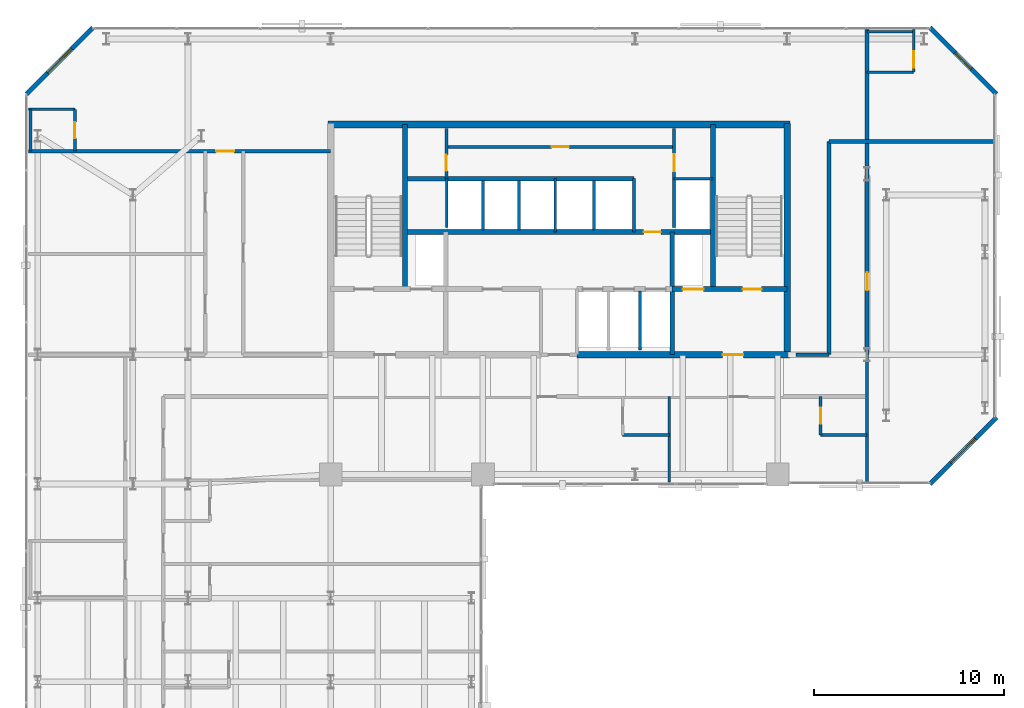
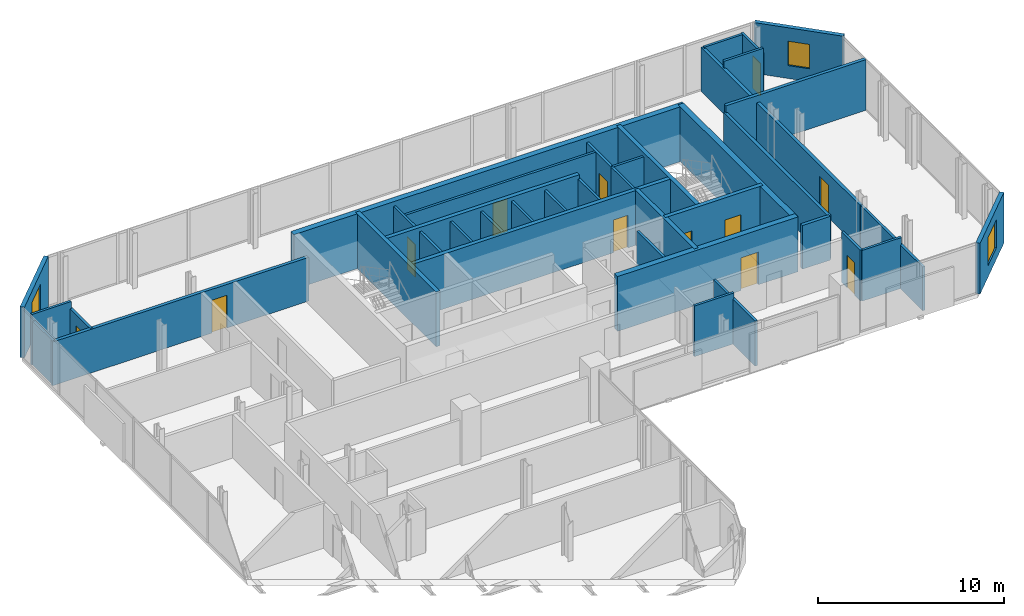
# One storey, part 29 of 32: 40 walls, 12 doors, 3 windows, 15 openings.
"""IFC4 building model written with IfcOpenShell, lengths in metres."""

from ifc_helpers import new_model, si_unit, direction, frame, frame_2d, origin, place, context, subcontext, project, spatial, rectangle, extrude, material, layer, layer_set, type_object, element, fill, save


model = new_model("IFC4")

# Units and contexts
model_context = context("Model", 3, precision=1e-05, world=origin(), true_north=direction((0.0, 1.0)))
body_context = subcontext(model_context, "Body", "Model", "MODEL_VIEW")
ifc_project = project(units=[si_unit("LENGTHUNIT", "METRE"), si_unit("AREAUNIT", "SQUARE_METRE"), si_unit("VOLUMEUNIT", "CUBIC_METRE"), si_unit("PLANEANGLEUNIT", "RADIAN"), si_unit("MASSUNIT", "GRAM", prefix="KILO")], contexts=[model_context])

# Site, building, storey
site_placement = place(None, origin())
site = spatial("IfcSite", under=ifc_project, at=site_placement, CompositionType="ELEMENT")
building_placement = place(site_placement, origin())
building = spatial("IfcBuilding", under=site, at=building_placement, Name="Catumbela Crestline Tower", CompositionType="ELEMENT")
storey_placement = place(building_placement, frame((0.0, 0.0, 126.0)))
storey = spatial("IfcBuildingStorey", under=building, at=storey_placement, Name="L32", CompositionType="ELEMENT", Elevation=126.0)

# Walls
ifc_material_1 = material(Name="Concrete C50/60", Category="concrete")
ifc_layer_1 = layer(ifc_material_1, 0.25, Name="Concrete C50/60")
ifc_layer_set_1 = layer_set([ifc_layer_1], Name="Concrete C50/60")
wall_type_1 = type_object("IfcWallType", Name="CW-250D", PredefinedType="SHEAR", material=ifc_layer_set_1)
for number, where, z_axis, x_axis, name in (
    (1, (19.9, 34.25, 0.0), (0.0, 0.0, 1.0), (0.0, 1.0, 0.0), "L32 Structural Core Shear Wall WWEB"),
    (2, (36.1, 34.25, 0.0), (0.0, 0.0, 1.0), (0.0, 1.0, 0.0), "L32 Structural Core Shear Wall EWEB"),
):
    element("IfcWall", number, at=place(storey_placement, frame(where, z_axis=z_axis, x_axis=x_axis)), inside=storey, type_object=wall_type_1, Name=name, PredefinedType="SHEAR", context=body_context, shape_type="SweptSolid", body=[
        extrude(rectangle(XDim=8.65, YDim=0.25, at=frame_2d((4.325, 0.0))), origin(), (0.0, 0.0, 1.0), 3.6),
    ])
wall_1_placement = place(storey_placement, frame((33.95, 30.8, 0.0), z_axis=(0.0, 0.0, 1.0), x_axis=(0.0, 1.0, 0.0)))
element("IfcWall", 3, at=wall_1_placement, inside=storey, type_object=wall_type_1, Name="L32 Structural Core Shear Wall FFE", PredefinedType="SHEAR", context=body_context, shape_type="SweptSolid", body=[
    extrude(rectangle(XDim=6.45, YDim=0.25, at=frame_2d((3.225, 0.0))), origin(), (0.0, 0.0, 1.0), 3.6),
])

# Wall, openings, doors
wall_2_placement = place(storey_placement, frame((33.95, 34.25, 0.0), z_axis=(0.0, 0.0, 1.0), x_axis=(1.0, 0.0, 0.0)))
wall_2 = element("IfcWall", 4, at=wall_2_placement, inside=storey, type_object=wall_type_1, Name="L32 Structural Core Shear Wall ST2S", PredefinedType="SHEAR", context=body_context, shape_type="SweptSolid", body=[
    extrude(rectangle(XDim=6.05, YDim=0.25, at=frame_2d((3.025, 0.0))), origin(), (0.0, 0.0, 1.0), 3.6),
])
opening_1_placement = place(wall_2_placement, frame((3.7, 0.0, 0.0)))
opening_1 = element("IfcOpeningElement", 5, at=opening_1_placement, cuts=wall_2, Name="Opening DF9-100", PredefinedType="OPENING", context=body_context, shape_type="SweptSolid", body=[
    extrude(rectangle(XDim=1.0, YDim=2.15, at=frame_2d((0.5, 1.075))), frame((0.0, 0.135, 0.0), z_axis=(0.0, -1.0, 0.0), x_axis=(1.0, 0.0, 0.0)), (0.0, 0.0, 1.0), 0.27),
])
opening_2_placement = place(wall_2_placement, frame((0.55, 0.0, 0.0)))
opening_2 = element("IfcOpeningElement", 6, at=opening_2_placement, cuts=wall_2, Name="Opening LD-110", PredefinedType="OPENING", context=body_context, shape_type="SweptSolid", body=[
    extrude(rectangle(XDim=1.1, YDim=2.15, at=frame_2d((0.55, 1.075))), frame((0.0, 0.135, 0.0), z_axis=(0.0, -1.0, 0.0), x_axis=(1.0, 0.0, 0.0)), (0.0, 0.0, 1.0), 0.27),
])
ifc_material_2 = material(Name="Stainless steel EN 1.4401", Category="steel")
door_type_1 = type_object("IfcDoorType", Name="DF9-100", OperationType="NOTDEFINED", PredefinedType="DOOR", material=ifc_material_2)
door_1_placement = place(opening_1_placement, origin())
door_1 = element("IfcDoor", 7, at=door_1_placement, inside=storey, type_object=door_type_1, Name="L32 Interior Door DR-L32-ST02", OperationType="SINGLE_SWING_RIGHT", OverallHeight=2.15, OverallWidth=1.0, PredefinedType="DOOR", context=body_context, shape_type="SweptSolid", body=[
    extrude(rectangle(XDim=1.0, YDim=2.15, at=frame_2d((0.5, 1.075))), frame((0.0, 0.025, 0.0), z_axis=(0.0, -1.0, 0.0), x_axis=(1.0, 0.0, 0.0)), (0.0, 0.0, 1.0), 0.05),
])
fill(opening_1, door_1)
door_type_2 = type_object("IfcDoorType", Name="LD-110", OperationType="NOTDEFINED", PredefinedType="DOOR", material=ifc_material_2)
door_2_placement = place(opening_2_placement, origin())
door_2 = element("IfcDoor", 8, at=door_2_placement, inside=storey, type_object=door_type_2, Name="L32 Lift Landing Sliding Door FL-02", OperationType="DOUBLE_DOOR_SLIDING", OverallHeight=2.15, OverallWidth=1.1, PredefinedType="DOOR", context=body_context, shape_type="SweptSolid", body=[
    extrude(rectangle(XDim=1.1, YDim=2.15, at=frame_2d((0.55, 1.075))), frame((0.0, 0.025, 0.0), z_axis=(0.0, -1.0, 0.0), x_axis=(1.0, 0.0, 0.0)), (0.0, 0.0, 1.0), 0.05),
])
fill(opening_2, door_2)

# Wall, opening, door
wall_3_placement = place(storey_placement, frame((19.9, 37.25, 0.0), z_axis=(0.0, 0.0, 1.0), x_axis=(1.0, 0.0, 0.0)))
wall_3 = element("IfcWall", 9, at=wall_3_placement, inside=storey, type_object=wall_type_1, Name="L32 Structural Core Shear Wall LIFTN", PredefinedType="SHEAR", context=body_context, shape_type="SweptSolid", body=[
    extrude(rectangle(XDim=16.2, YDim=0.25, at=frame_2d((8.1, 0.0))), origin(), (0.0, 0.0, 1.0), 3.6),
])
opening_3_placement = place(wall_3_placement, frame((12.55, 0.0, 0.0)))
opening_3 = element("IfcOpeningElement", 10, at=opening_3_placement, cuts=wall_3, Name="Opening DF9-090", PredefinedType="OPENING", context=body_context, shape_type="SweptSolid", body=[
    extrude(rectangle(XDim=0.9, YDim=2.15, at=frame_2d((0.45, 1.075))), frame((0.0, 0.135, 0.0), z_axis=(0.0, -1.0, 0.0), x_axis=(1.0, 0.0, 0.0)), (0.0, 0.0, 1.0), 0.27),
])
door_type_3 = type_object("IfcDoorType", Name="DF9-090", OperationType="NOTDEFINED", PredefinedType="DOOR", material=ifc_material_2)
door_3_placement = place(opening_3_placement, origin())
door_3 = element("IfcDoor", 11, at=door_3_placement, inside=storey, type_object=door_type_3, Name="L32 Interior Door DR-L32-CPAS1", OperationType="SINGLE_SWING_LEFT", OverallHeight=2.15, OverallWidth=0.9, PredefinedType="DOOR", context=body_context, shape_type="SweptSolid", body=[
    extrude(rectangle(XDim=0.9, YDim=2.15, at=frame_2d((0.45, 1.075))), frame((0.0, 0.025, 0.0), z_axis=(0.0, -1.0, 0.0), x_axis=(1.0, 0.0, 0.0)), (0.0, 0.0, 1.0), 0.05),
])
fill(opening_3, door_3)

# Walls
wall_4_placement = place(storey_placement, frame((19.9, 40.05, 0.0), z_axis=(0.0, 0.0, 1.0), x_axis=(1.0, 0.0, 0.0)))
element("IfcWall", 12, at=wall_4_placement, inside=storey, type_object=wall_type_1, Name="L32 Structural Core Shear Wall COREN", PredefinedType="SHEAR", context=body_context, shape_type="SweptSolid", body=[
    extrude(rectangle(XDim=12.05, YDim=0.25, at=frame_2d((6.025, 0.0))), origin(), (0.0, 0.0, 1.0), 3.6),
])
ifc_layer_2 = layer(ifc_material_1, 0.35, Name="Concrete C50/60")
ifc_layer_set_2 = layer_set([ifc_layer_2], Name="Concrete C50/60")
wall_type_2 = type_object("IfcWallType", Name="CW-350B", PredefinedType="SHEAR", material=ifc_layer_set_2)
wall_5_placement = place(storey_placement, frame((40.0, 30.65, 0.0), z_axis=(0.0, 0.0, 1.0), x_axis=(0.0, 1.0, 0.0)))
element("IfcWall", 13, at=wall_5_placement, inside=storey, type_object=wall_type_2, Name="L32 Structural Core Shear Wall E", PredefinedType="SHEAR", context=body_context, shape_type="SweptSolid", body=[
    extrude(rectangle(XDim=12.3, YDim=0.35, at=frame_2d((6.15, 0.0))), origin(), (0.0, 0.0, 1.0), 3.6),
])
wall_6_placement = place(storey_placement, frame((15.85, 42.9, 0.0), z_axis=(0.0, 0.0, 1.0), x_axis=(1.0, 0.0, 0.0)))
element("IfcWall", 14, at=wall_6_placement, inside=storey, type_object=wall_type_2, Name="L32 Structural Core Shear Wall N", PredefinedType="SHEAR", context=body_context, shape_type="SweptSolid", body=[
    extrude(rectangle(XDim=24.3, YDim=0.35, at=frame_2d((12.15, 0.0))), origin(), (0.0, 0.0, 1.0), 3.6),
])

# Wall, opening, door
wall_7_placement = place(storey_placement, frame((28.95, 30.8, 0.0), z_axis=(0.0, 0.0, 1.0), x_axis=(1.0, 0.0, 0.0)))
wall_7 = element("IfcWall", 15, at=wall_7_placement, inside=storey, type_object=wall_type_2, Name="L32 Structural Core Shear Wall SE", PredefinedType="SHEAR", context=body_context, shape_type="SweptSolid", body=[
    extrude(rectangle(XDim=11.2, YDim=0.35, at=frame_2d((5.6, 0.0))), origin(), (0.0, 0.0, 1.0), 3.6),
])
opening_4_placement = place(wall_7_placement, frame((7.65, 0.0, 0.0)))
opening_4 = element("IfcOpeningElement", 16, at=opening_4_placement, cuts=wall_7, Name="Opening DF9-110", PredefinedType="OPENING", context=body_context, shape_type="SweptSolid", body=[
    extrude(rectangle(XDim=1.1, YDim=2.15, at=frame_2d((0.55, 1.075))), frame((0.0, 0.185, 0.0), z_axis=(0.0, -1.0, 0.0), x_axis=(1.0, 0.0, 0.0)), (0.0, 0.0, 1.0), 0.37),
])
door_type_4 = type_object("IfcDoorType", Name="DF9-110", OperationType="NOTDEFINED", PredefinedType="DOOR", material=ifc_material_2)
door_4_placement = place(opening_4_placement, origin())
door_4 = element("IfcDoor", 17, at=door_4_placement, inside=storey, type_object=door_type_4, Name="L32 Interior Door DR-L32-FFE-S", OperationType="SINGLE_SWING_RIGHT", OverallHeight=2.15, OverallWidth=1.1, PredefinedType="DOOR", context=body_context, shape_type="SweptSolid", body=[
    extrude(rectangle(XDim=1.1, YDim=2.15, at=frame_2d((0.55, 1.075))), frame((0.0, 0.025, 0.0), z_axis=(0.0, -1.0, 0.0), x_axis=(1.0, 0.0, 0.0)), (0.0, 0.0, 1.0), 0.05),
])
fill(opening_4, door_4)

# Walls
ifc_material_3 = material(Name="Acoustic gypsum and mineral-wool partition")
ifc_layer_3 = layer(ifc_material_3, 0.2, Name="Acoustic gypsum and mineral-wool partition")
ifc_layer_set_3 = layer_set([ifc_layer_3], Name="Acoustic gypsum and mineral-wool partition")
wall_type_3 = type_object("IfcWallType", Name="WC-200", PredefinedType="PARTITIONING", material=ifc_layer_set_3)
wall_8_placement = place(storey_placement, frame((40.47, 30.8, 0.0), z_axis=(0.0, 0.0, 1.0), x_axis=(1.0, 0.0, 0.0)))
element("IfcWall", 18, at=wall_8_placement, inside=storey, type_object=wall_type_3, Name="L32 Interior Partition PW-L32-Z2CW-E1", PredefinedType="PARTITIONING", context=body_context, shape_type="SweptSolid", body=[
    extrude(rectangle(XDim=1.73, YDim=0.2, at=frame_2d((0.865, 0.0))), origin(), (0.0, 0.0, 1.0), 2.87),
])
wall_9_placement = place(storey_placement, frame((42.2, 30.8, 0.0), z_axis=(0.0, 0.0, 1.0), x_axis=(0.0, 1.0, 0.0)))
element("IfcWall", 19, at=wall_9_placement, inside=storey, type_object=wall_type_3, Name="L32 Interior Partition PW-L32-Z2CW-E2", PredefinedType="PARTITIONING", context=body_context, shape_type="SweptSolid", body=[
    extrude(rectangle(XDim=11.2, YDim=0.2, at=frame_2d((5.6, 0.0))), origin(), (0.0, 0.0, 1.0), 2.87),
])
wall_10_placement = place(storey_placement, frame((42.2, 42.0, 0.0), z_axis=(0.0, 0.0, 1.0), x_axis=(1.0, 0.0, 0.0)))
element("IfcWall", 20, at=wall_10_placement, inside=storey, type_object=wall_type_3, Name="L32 Interior Partition PW-L32-Z2CW-E3", PredefinedType="PARTITIONING", context=body_context, shape_type="SweptSolid", body=[
    extrude(rectangle(XDim=8.7, YDim=0.2, at=frame_2d((4.35, 0.0))), origin(), (0.0, 0.0, 1.0), 3.33),
])

# Wall, opening, door
wall_11_placement = place(storey_placement, frame((0.1, 41.5, 0.0), z_axis=(0.0, 0.0, 1.0), x_axis=(1.0, 0.0, 0.0)))
wall_11 = element("IfcWall", 21, at=wall_11_placement, inside=storey, type_object=wall_type_3, Name="L32 Interior Partition PW-L32-Z2NWT-ENT", PredefinedType="PARTITIONING", context=body_context, shape_type="SweptSolid", body=[
    extrude(rectangle(XDim=15.9, YDim=0.2, at=frame_2d((7.95, 0.0))), origin(), (0.0, 0.0, 1.0), 2.87),
])
opening_5_placement = place(wall_11_placement, frame((9.8771, 0.0, 0.0)))
opening_5 = element("IfcOpeningElement", 22, at=opening_5_placement, cuts=wall_11, Name="Opening DF6-095", PredefinedType="OPENING", context=body_context, shape_type="SweptSolid", body=[
    extrude(rectangle(XDim=0.95, YDim=2.15, at=frame_2d((0.475, 1.075))), frame((0.0, 0.11, 0.0), z_axis=(0.0, -1.0, 0.0), x_axis=(1.0, 0.0, 0.0)), (0.0, 0.0, 1.0), 0.22),
])
ifc_material_4 = material(Name="Aluminium alloy AW-6060-T66", Category="aluminium")
door_type_5 = type_object("IfcDoorType", Name="DF6-095", OperationType="NOTDEFINED", PredefinedType="DOOR", material=ifc_material_4)
door_5_placement = place(opening_5_placement, origin())
door_5 = element("IfcDoor", 23, at=door_5_placement, inside=storey, type_object=door_type_5, Name="L32 Interior Door DR-L32-Z2NWT-ENT", OperationType="SINGLE_SWING_RIGHT", OverallHeight=2.15, OverallWidth=0.95, PredefinedType="DOOR", context=body_context, shape_type="SweptSolid", body=[
    extrude(rectangle(XDim=0.95, YDim=2.15, at=frame_2d((0.475, 1.075))), frame((0.0, 0.025, 0.0), z_axis=(0.0, -1.0, 0.0), x_axis=(1.0, 0.0, 0.0)), (0.0, 0.0, 1.0), 0.05),
])
fill(opening_5, door_5)

wall_12_placement = place(storey_placement, frame((44.2, 30.8, 0.0), z_axis=(0.0, 0.0, 1.0), x_axis=(0.0, 1.0, 0.0)))
wall_12 = element("IfcWall", 24, at=wall_12_placement, inside=storey, type_object=wall_type_3, Name="L32 Interior Partition PW-L32-SE1-ENT", PredefinedType="PARTITIONING", context=body_context, shape_type="SweptSolid", body=[
    extrude(rectangle(XDim=17.1, YDim=0.2, at=frame_2d((8.55, 0.0))), origin(), (0.0, 0.0, 1.0), 2.87),
])
opening_6_placement = place(wall_12_placement, frame((3.3825, 0.0, 0.0)))
opening_6 = element("IfcOpeningElement", 25, at=opening_6_placement, cuts=wall_12, Name="Opening DF6-095", PredefinedType="OPENING", context=body_context, shape_type="SweptSolid", body=[
    extrude(rectangle(XDim=0.95, YDim=2.15, at=frame_2d((0.475, 1.075))), frame((0.0, 0.11, 0.0), z_axis=(0.0, -1.0, 0.0), x_axis=(1.0, 0.0, 0.0)), (0.0, 0.0, 1.0), 0.22),
])
door_6_placement = place(opening_6_placement, origin())
door_6 = element("IfcDoor", 26, at=door_6_placement, inside=storey, type_object=door_type_5, Name="L32 Interior Door DR-L32-SE1-ENT", OperationType="SINGLE_SWING_RIGHT", OverallHeight=2.15, OverallWidth=0.95, PredefinedType="DOOR", context=body_context, shape_type="SweptSolid", body=[
    extrude(rectangle(XDim=0.95, YDim=2.15, at=frame_2d((0.475, 1.075))), frame((0.0, 0.025, 0.0), z_axis=(0.0, -1.0, 0.0), x_axis=(1.0, 0.0, 0.0)), (0.0, 0.0, 1.0), 0.05),
])
fill(opening_6, door_6)

# Wall, opening, window
ifc_material_5 = material(Name="Angolan grey-ochre granite", Category="masonry")
ifc_layer_4 = layer(ifc_material_5, 0.25, Name="Angolan grey-ochre granite")
ifc_layer_set_4 = layer_set([ifc_layer_4], Name="Angolan grey-ochre granite")
wall_type_4 = type_object("IfcWallType", Name="WE-250", PredefinedType="STANDARD", material=ifc_layer_set_4)
wall_13_placement = place(storey_placement, frame((47.5, 24.0, 0.0), z_axis=(0.0, 0.0, 1.0), x_axis=(0.707106781187, 0.707106781187, 0.0)))
wall_13 = element("IfcWall", 27, at=wall_13_placement, inside=storey, type_object=wall_type_4, Name="L32 Granite Punched Window Wall 4-1", PredefinedType="STANDARD", context=body_context, shape_type="SweptSolid", body=[
    extrude(rectangle(XDim=4.9497, YDim=0.25, at=frame_2d((2.4748, 0.0))), origin(), (0.0, 0.0, 1.0), 3.33),
])
opening_7_placement = place(wall_13_placement, frame((1.5749, 0.0, 0.75)))
opening_7 = element("IfcOpeningElement", 28, at=opening_7_placement, cuts=wall_13, Name="Opening WN-01", PredefinedType="OPENING", context=body_context, shape_type="SweptSolid", body=[
    extrude(rectangle(XDim=1.8, YDim=1.85, at=frame_2d((0.9, 0.925))), frame((0.0, 0.135, 0.0), z_axis=(0.0, -1.0, 0.0), x_axis=(1.0, 0.0, 0.0)), (0.0, 0.0, 1.0), 0.27),
])
ifc_material_6 = material(Name="Low-E laminated solar-control double glazing", Category="glass")
window_type_1 = type_object("IfcWindowType", Name="WF-1800", PartitioningType="SINGLE_PANEL", PredefinedType="WINDOW", material=ifc_material_6)
window_1_placement = place(opening_7_placement, origin())
window_1 = element("IfcWindow", 29, at=window_1_placement, inside=storey, type_object=window_type_1, Name="L32 Facade Vision Window 181", OverallHeight=1.85, OverallWidth=1.8, PartitioningType="SINGLE_PANEL", PredefinedType="WINDOW", context=body_context, shape_type="SweptSolid", body=[
    extrude(rectangle(XDim=1.8, YDim=1.85, at=frame_2d((0.9, 0.925))), frame((0.0, 0.03, 0.0), z_axis=(0.0, -1.0, 0.0), x_axis=(1.0, 0.0, 0.0)), (0.0, 0.0, 1.0), 0.06),
])
fill(opening_7, window_1)

wall_14_placement = place(storey_placement, frame((51.0, 44.5, 0.0), z_axis=(0.0, 0.0, 1.0), x_axis=(-0.707106781187, 0.707106781187, 0.0)))
wall_14 = element("IfcWall", 30, at=wall_14_placement, inside=storey, type_object=wall_type_4, Name="L32 Granite Punched Window Wall 6-1", PredefinedType="STANDARD", context=body_context, shape_type="SweptSolid", body=[
    extrude(rectangle(XDim=4.9497, YDim=0.25, at=frame_2d((2.4748, 0.0))), origin(), (0.0, 0.0, 1.0), 3.33),
])
opening_8_placement = place(wall_14_placement, frame((1.8748, 0.0, 0.85)))
opening_8 = element("IfcOpeningElement", 31, at=opening_8_placement, cuts=wall_14, Name="Opening WN-02", PredefinedType="OPENING", context=body_context, shape_type="SweptSolid", body=[
    extrude(rectangle(XDim=1.2, YDim=1.6, at=frame_2d((0.6, 0.8))), frame((0.0, 0.135, 0.0), z_axis=(0.0, -1.0, 0.0), x_axis=(1.0, 0.0, 0.0)), (0.0, 0.0, 1.0), 0.27),
])
window_type_2 = type_object("IfcWindowType", Name="WO-1200", PartitioningType="SINGLE_PANEL", PredefinedType="WINDOW", material=ifc_material_6)
window_2_placement = place(opening_8_placement, origin())
window_2 = element("IfcWindow", 32, at=window_2_placement, inside=storey, type_object=window_type_2, Name="L32 Facade Vision Window 182", OverallHeight=1.6, OverallWidth=1.2, PartitioningType="SINGLE_PANEL", PredefinedType="WINDOW", context=body_context, shape_type="SweptSolid", body=[
    extrude(rectangle(XDim=1.2, YDim=1.6, at=frame_2d((0.6, 0.8))), frame((0.0, 0.03, 0.0), z_axis=(0.0, -1.0, 0.0), x_axis=(1.0, 0.0, 0.0)), (0.0, 0.0, 1.0), 0.06),
])
fill(opening_8, window_2)

wall_15_placement = place(storey_placement, frame((3.5, 48.0, 0.0), z_axis=(0.0, 0.0, 1.0), x_axis=(-0.707106781187, -0.707106781187, 0.0)))
wall_15 = element("IfcWall", 33, at=wall_15_placement, inside=storey, type_object=wall_type_4, Name="L32 Granite Punched Window Wall 8-1", PredefinedType="STANDARD", context=body_context, shape_type="SweptSolid", body=[
    extrude(rectangle(XDim=4.9497, YDim=0.25, at=frame_2d((2.4748, 0.0))), origin(), (0.0, 0.0, 1.0), 3.33),
])
opening_9_placement = place(wall_15_placement, frame((1.5749, 0.0, 0.75)))
opening_9 = element("IfcOpeningElement", 34, at=opening_9_placement, cuts=wall_15, Name="Opening WN-01", PredefinedType="OPENING", context=body_context, shape_type="SweptSolid", body=[
    extrude(rectangle(XDim=1.8, YDim=1.85, at=frame_2d((0.9, 0.925))), frame((0.0, 0.135, 0.0), z_axis=(0.0, -1.0, 0.0), x_axis=(1.0, 0.0, 0.0)), (0.0, 0.0, 1.0), 0.27),
])
window_3_placement = place(opening_9_placement, origin())
window_3 = element("IfcWindow", 35, at=window_3_placement, inside=storey, type_object=window_type_1, Name="L32 Facade Vision Window 183", OverallHeight=1.85, OverallWidth=1.8, PartitioningType="SINGLE_PANEL", PredefinedType="WINDOW", context=body_context, shape_type="SweptSolid", body=[
    extrude(rectangle(XDim=1.8, YDim=1.85, at=frame_2d((0.9, 0.925))), frame((0.0, 0.03, 0.0), z_axis=(0.0, -1.0, 0.0), x_axis=(1.0, 0.0, 0.0)), (0.0, 0.0, 1.0), 0.06),
])
fill(opening_9, window_3)

# Wall
ifc_layer_5 = layer(ifc_material_3, 0.15, Name="Acoustic gypsum and mineral-wool partition")
ifc_layer_set_5 = layer_set([ifc_layer_5], Name="Acoustic gypsum and mineral-wool partition")
wall_type_5 = type_object("IfcWallType", Name="WP-150", PredefinedType="PARTITIONING", material=ifc_layer_set_5)
wall_16_placement = place(storey_placement, frame((34.05, 40.05, 0.0), z_axis=(0.0, 0.0, 1.0), x_axis=(1.0, 0.0, 0.0)))
element("IfcWall", 36, at=wall_16_placement, inside=storey, type_object=wall_type_5, Name="L32 Interior Partition PW-L32-CR-ES", PredefinedType="PARTITIONING", context=body_context, shape_type="SweptSolid", body=[
    extrude(rectangle(XDim=2.05, YDim=0.15, at=frame_2d((1.025, 0.0))), origin(), (0.0, 0.0, 1.0), 3.33),
])

# Wall, opening, door
wall_17_placement = place(storey_placement, frame((34.05, 40.05, 0.0), z_axis=(0.0, 0.0, 1.0), x_axis=(0.0, 1.0, 0.0)))
wall_17 = element("IfcWall", 37, at=wall_17_placement, inside=storey, type_object=wall_type_5, Name="L32 Interior Partition PW-L32-CR-EW", PredefinedType="PARTITIONING", context=body_context, shape_type="SweptSolid", body=[
    extrude(rectangle(XDim=2.63, YDim=0.15, at=frame_2d((1.315, 0.0))), origin(), (0.0, 0.0, 1.0), 3.33),
])
opening_10_placement = place(wall_17_placement, frame((0.385, 0.0, 0.0)))
opening_10 = element("IfcOpeningElement", 38, at=opening_10_placement, cuts=wall_17, Name="Opening DF9-090", PredefinedType="OPENING", context=body_context, shape_type="SweptSolid", body=[
    extrude(rectangle(XDim=0.9, YDim=2.15, at=frame_2d((0.45, 1.075))), frame((0.0, 0.085, 0.0), z_axis=(0.0, -1.0, 0.0), x_axis=(1.0, 0.0, 0.0)), (0.0, 0.0, 1.0), 0.17),
])
door_7_placement = place(opening_10_placement, origin())
door_7 = element("IfcDoor", 39, at=door_7_placement, inside=storey, type_object=door_type_3, Name="L32 Interior Door DR-L32-CREAST", OperationType="SINGLE_SWING_RIGHT", OverallHeight=2.15, OverallWidth=0.9, PredefinedType="DOOR", context=body_context, shape_type="SweptSolid", body=[
    extrude(rectangle(XDim=0.9, YDim=2.15, at=frame_2d((0.45, 1.075))), frame((0.0, 0.025, 0.0), z_axis=(0.0, -1.0, 0.0), x_axis=(1.0, 0.0, 0.0)), (0.0, 0.0, 1.0), 0.05),
])
fill(opening_10, door_7)

wall_18_placement = place(storey_placement, frame((22.08, 40.05, 0.0), z_axis=(0.0, 0.0, 1.0), x_axis=(0.0, 1.0, 0.0)))
wall_18 = element("IfcWall", 40, at=wall_18_placement, inside=storey, type_object=wall_type_5, Name="L32 Interior Partition PW-L32-CR-WCW", PredefinedType="PARTITIONING", context=body_context, shape_type="SweptSolid", body=[
    extrude(rectangle(XDim=2.63, YDim=0.15, at=frame_2d((1.315, 0.0))), origin(), (0.0, 0.0, 1.0), 3.33),
])
opening_11_placement = place(wall_18_placement, frame((0.41, 0.0, 0.0)))
opening_11 = element("IfcOpeningElement", 41, at=opening_11_placement, cuts=wall_18, Name="Opening DI-085", PredefinedType="OPENING", context=body_context, shape_type="SweptSolid", body=[
    extrude(rectangle(XDim=0.85, YDim=2.15, at=frame_2d((0.425, 1.075))), frame((0.0, 0.085, 0.0), z_axis=(0.0, -1.0, 0.0), x_axis=(1.0, 0.0, 0.0)), (0.0, 0.0, 1.0), 0.17),
])
door_type_6 = type_object("IfcDoorType", Name="DI-085", OperationType="NOTDEFINED", PredefinedType="DOOR", material=ifc_material_4)
door_8_placement = place(opening_11_placement, origin())
door_8 = element("IfcDoor", 42, at=door_8_placement, inside=storey, type_object=door_type_6, Name="L32 Interior Door DR-L32-CRWC", OperationType="SINGLE_SWING_LEFT", OverallHeight=2.15, OverallWidth=0.85, PredefinedType="DOOR", context=body_context, shape_type="SweptSolid", body=[
    extrude(rectangle(XDim=0.85, YDim=2.15, at=frame_2d((0.425, 1.075))), frame((0.0, 0.025, 0.0), z_axis=(0.0, -1.0, 0.0), x_axis=(1.0, 0.0, 0.0)), (0.0, 0.0, 1.0), 0.05),
])
fill(opening_11, door_8)

wall_19_placement = place(storey_placement, frame((22.08, 41.72, 0.0), z_axis=(0.0, 0.0, 1.0), x_axis=(1.0, 0.0, 0.0)))
wall_19 = element("IfcWall", 43, at=wall_19_placement, inside=storey, type_object=wall_type_5, Name="L32 Interior Partition PW-L32-CR-MID", PredefinedType="PARTITIONING", context=body_context, shape_type="SweptSolid", body=[
    extrude(rectangle(XDim=11.97, YDim=0.15, at=frame_2d((5.985, 0.0))), origin(), (0.0, 0.0, 1.0), 3.33),
])
opening_12_placement = place(wall_19_placement, frame((5.535, 0.0, 0.0)))
opening_12 = element("IfcOpeningElement", 44, at=opening_12_placement, cuts=wall_19, Name="Opening DF9-090", PredefinedType="OPENING", context=body_context, shape_type="SweptSolid", body=[
    extrude(rectangle(XDim=0.9, YDim=2.15, at=frame_2d((0.45, 1.075))), frame((0.0, 0.085, 0.0), z_axis=(0.0, -1.0, 0.0), x_axis=(1.0, 0.0, 0.0)), (0.0, 0.0, 1.0), 0.17),
])
door_9_placement = place(opening_12_placement, origin())
door_9 = element("IfcDoor", 45, at=door_9_placement, inside=storey, type_object=door_type_3, Name="L32 Interior Door DR-L32-CRMID", OperationType="SINGLE_SWING_LEFT", OverallHeight=2.15, OverallWidth=0.9, PredefinedType="DOOR", context=body_context, shape_type="SweptSolid", body=[
    extrude(rectangle(XDim=0.9, YDim=2.15, at=frame_2d((0.45, 1.075))), frame((0.0, 0.025, 0.0), z_axis=(0.0, -1.0, 0.0), x_axis=(1.0, 0.0, 0.0)), (0.0, 0.0, 1.0), 0.05),
])
fill(opening_12, door_9)

# Wall
wall_20_placement = place(storey_placement, frame((0.1, 43.7, 0.0), z_axis=(0.0, 0.0, 1.0), x_axis=(1.0, 0.0, 0.0)))
element("IfcWall", 46, at=wall_20_placement, inside=storey, type_object=wall_type_5, Name="L32 Interior Partition PW-L32-Z2NWT-BHW", PredefinedType="PARTITIONING", context=body_context, shape_type="SweptSolid", body=[
    extrude(rectangle(XDim=2.45, YDim=0.15, at=frame_2d((1.225, 0.0))), origin(), (0.0, 0.0, 1.0), 3.33),
])

# Wall, opening, door
wall_21_placement = place(storey_placement, frame((2.55, 41.5, 0.0), z_axis=(0.0, 0.0, 1.0), x_axis=(0.0, 1.0, 0.0)))
wall_21 = element("IfcWall", 47, at=wall_21_placement, inside=storey, type_object=wall_type_5, Name="L32 Interior Partition PW-L32-Z2NWT-BEW", PredefinedType="PARTITIONING", context=body_context, shape_type="SweptSolid", body=[
    extrude(rectangle(XDim=2.2, YDim=0.15, at=frame_2d((1.1, 0.0))), origin(), (0.0, 0.0, 1.0), 2.87),
])
opening_13_placement = place(wall_21_placement, frame((0.675, 0.0, 0.0)))
opening_13 = element("IfcOpeningElement", 48, at=opening_13_placement, cuts=wall_21, Name="Opening DI-085", PredefinedType="OPENING", context=body_context, shape_type="SweptSolid", body=[
    extrude(rectangle(XDim=0.85, YDim=2.15, at=frame_2d((0.425, 1.075))), frame((0.0, 0.085, 0.0), z_axis=(0.0, -1.0, 0.0), x_axis=(1.0, 0.0, 0.0)), (0.0, 0.0, 1.0), 0.17),
])
door_10_placement = place(opening_13_placement, origin())
door_10 = element("IfcDoor", 49, at=door_10_placement, inside=storey, type_object=door_type_6, Name="L32 Interior Door DR-L32-Z2NWT-BTH", OperationType="SINGLE_SWING_LEFT", OverallHeight=2.15, OverallWidth=0.85, PredefinedType="DOOR", context=body_context, shape_type="SweptSolid", body=[
    extrude(rectangle(XDim=0.85, YDim=2.15, at=frame_2d((0.425, 1.075))), frame((0.0, 0.025, 0.0), z_axis=(0.0, -1.0, 0.0), x_axis=(1.0, 0.0, 0.0)), (0.0, 0.0, 1.0), 0.05),
])
fill(opening_13, door_10)

# Walls
wall_22_placement = place(storey_placement, frame((0.22, 41.5, 0.0), z_axis=(0.0, 0.0, 1.0), x_axis=(0.0, 1.0, 0.0)))
element("IfcWall", 50, at=wall_22_placement, inside=storey, type_object=wall_type_5, Name="L32 Interior Partition PW-L32-Z2NWT-BCL-2", PredefinedType="PARTITIONING", context=body_context, shape_type="SweptSolid", body=[
    extrude(rectangle(XDim=2.2, YDim=0.15, at=frame_2d((1.1, 0.0))), origin(), (0.0, 0.0, 1.0), 2.87),
])
wall_23_placement = place(storey_placement, frame((31.35, 26.576, 0.0), z_axis=(0.0, 0.0, 1.0), x_axis=(1.0, 0.0, 0.0)))
element("IfcWall", 51, at=wall_23_placement, inside=storey, type_object=wall_type_5, Name="L32 Interior Partition PW-L32-SS1-BHW", PredefinedType="PARTITIONING", context=body_context, shape_type="SweptSolid", body=[
    extrude(rectangle(XDim=2.45, YDim=0.15, at=frame_2d((1.225, 0.0))), origin(), (0.0, 0.0, 1.0), 3.33),
])
wall_24_placement = place(storey_placement, frame((33.8, 28.6, 0.0), z_axis=(0.0, 0.0, 1.0), x_axis=(0.0, -1.0, 0.0)))
element("IfcWall", 52, at=wall_24_placement, inside=storey, type_object=wall_type_5, Name="L32 Interior Partition PW-L32-SS1-BCL-2", PredefinedType="PARTITIONING", context=body_context, shape_type="SweptSolid", body=[
    extrude(rectangle(XDim=4.5, YDim=0.15, at=frame_2d((2.25, 0.0))), origin(), (0.0, 0.0, 1.0), 2.96),
])
wall_25_placement = place(storey_placement, frame((41.75, 26.576, 0.0), z_axis=(0.0, 0.0, 1.0), x_axis=(1.0, 0.0, 0.0)))
element("IfcWall", 53, at=wall_25_placement, inside=storey, type_object=wall_type_5, Name="L32 Interior Partition PW-L32-SS2-BHW", PredefinedType="PARTITIONING", context=body_context, shape_type="SweptSolid", body=[
    extrude(rectangle(XDim=2.45, YDim=0.15, at=frame_2d((1.225, 0.0))), origin(), (0.0, 0.0, 1.0), 3.33),
])

# Wall, opening, door
wall_26_placement = place(storey_placement, frame((41.75, 26.576, 0.0), z_axis=(0.0, 0.0, 1.0), x_axis=(0.0, 1.0, 0.0)))
wall_26 = element("IfcWall", 54, at=wall_26_placement, inside=storey, type_object=wall_type_5, Name="L32 Interior Partition PW-L32-SS2-BWW", PredefinedType="PARTITIONING", context=body_context, shape_type="SweptSolid", body=[
    extrude(rectangle(XDim=2.024, YDim=0.15, at=frame_2d((1.012, 0.0))), origin(), (0.0, 0.0, 1.0), 3.33),
])
opening_14_placement = place(wall_26_placement, frame((0.587, 0.0, 0.0)))
opening_14 = element("IfcOpeningElement", 55, at=opening_14_placement, cuts=wall_26, Name="Opening DI-085", PredefinedType="OPENING", context=body_context, shape_type="SweptSolid", body=[
    extrude(rectangle(XDim=0.85, YDim=2.15, at=frame_2d((0.425, 1.075))), frame((0.0, 0.085, 0.0), z_axis=(0.0, -1.0, 0.0), x_axis=(1.0, 0.0, 0.0)), (0.0, 0.0, 1.0), 0.17),
])
door_11_placement = place(opening_14_placement, origin())
door_11 = element("IfcDoor", 56, at=door_11_placement, inside=storey, type_object=door_type_6, Name="L32 Interior Door DR-L32-SS2-BTH", OperationType="SINGLE_SWING_RIGHT", OverallHeight=2.15, OverallWidth=0.85, PredefinedType="DOOR", context=body_context, shape_type="SweptSolid", body=[
    extrude(rectangle(XDim=0.85, YDim=2.15, at=frame_2d((0.425, 1.075))), frame((0.0, 0.025, 0.0), z_axis=(0.0, -1.0, 0.0), x_axis=(1.0, 0.0, 0.0)), (0.0, 0.0, 1.0), 0.05),
])
fill(opening_14, door_11)

# Walls
wall_27_placement = place(storey_placement, frame((44.2, 30.8, 0.0), z_axis=(0.0, 0.0, 1.0), x_axis=(0.0, -1.0, 0.0)))
element("IfcWall", 57, at=wall_27_placement, inside=storey, type_object=wall_type_5, Name="L32 Interior Partition PW-L32-SS2-BCL-2", PredefinedType="PARTITIONING", context=body_context, shape_type="SweptSolid", body=[
    extrude(rectangle(XDim=6.7, YDim=0.15, at=frame_2d((3.35, 0.0))), origin(), (0.0, 0.0, 1.0), 2.87),
])
wall_28_placement = place(storey_placement, frame((44.2, 45.65, 0.0), z_axis=(0.0, 0.0, 1.0), x_axis=(1.0, 0.0, 0.0)))
element("IfcWall", 58, at=wall_28_placement, inside=storey, type_object=wall_type_5, Name="L32 Interior Partition PW-L32-SE1-BSW", PredefinedType="PARTITIONING", context=body_context, shape_type="SweptSolid", body=[
    extrude(rectangle(XDim=2.45, YDim=0.15, at=frame_2d((1.225, 0.0))), origin(), (0.0, 0.0, 1.0), 3.33),
])

# Wall, opening, door
wall_29_placement = place(storey_placement, frame((46.65, 45.65, 0.0), z_axis=(0.0, 0.0, 1.0), x_axis=(0.0, 1.0, 0.0)))
wall_29 = element("IfcWall", 59, at=wall_29_placement, inside=storey, type_object=wall_type_5, Name="L32 Interior Partition PW-L32-SE1-BEW", PredefinedType="PARTITIONING", context=body_context, shape_type="SweptSolid", body=[
    extrude(rectangle(XDim=2.25, YDim=0.15, at=frame_2d((1.125, 0.0))), origin(), (0.0, 0.0, 1.0), 2.96),
])
opening_15_placement = place(wall_29_placement, frame((0.24, 0.0, 0.0)))
opening_15 = element("IfcOpeningElement", 60, at=opening_15_placement, cuts=wall_29, Name="Opening DI-085", PredefinedType="OPENING", context=body_context, shape_type="SweptSolid", body=[
    extrude(rectangle(XDim=0.85, YDim=2.15, at=frame_2d((0.425, 1.075))), frame((0.0, 0.085, 0.0), z_axis=(0.0, -1.0, 0.0), x_axis=(1.0, 0.0, 0.0)), (0.0, 0.0, 1.0), 0.17),
])
door_12_placement = place(opening_15_placement, origin())
door_12 = element("IfcDoor", 61, at=door_12_placement, inside=storey, type_object=door_type_6, Name="L32 Interior Door DR-L32-SE1-BTH", OperationType="SINGLE_SWING_LEFT", OverallHeight=2.15, OverallWidth=0.85, PredefinedType="DOOR", context=body_context, shape_type="SweptSolid", body=[
    extrude(rectangle(XDim=0.85, YDim=2.15, at=frame_2d((0.425, 1.075))), frame((0.0, 0.025, 0.0), z_axis=(0.0, -1.0, 0.0), x_axis=(1.0, 0.0, 0.0)), (0.0, 0.0, 1.0), 0.05),
])
fill(opening_15, door_12)

# Walls
wall_30_placement = place(storey_placement, frame((44.2, 47.78, 0.0), z_axis=(0.0, 0.0, 1.0), x_axis=(1.0, 0.0, 0.0)))
element("IfcWall", 62, at=wall_30_placement, inside=storey, type_object=wall_type_5, Name="L32 Interior Partition PW-L32-SE1-BCL-2", PredefinedType="PARTITIONING", context=body_context, shape_type="SweptSolid", body=[
    extrude(rectangle(XDim=2.45, YDim=0.15, at=frame_2d((1.225, 0.0))), origin(), (0.0, 0.0, 1.0), 2.96),
])
ifc_layer_6 = layer(ifc_material_3, 0.15, Name="Acoustic gypsum and mineral-wool partition")
ifc_layer_set_6 = layer_set([ifc_layer_6], Name="Acoustic gypsum and mineral-wool partition")
wall_type_6 = type_object("IfcWallType", Name="WS-150", PredefinedType="PLUMBINGWALL", material=ifc_layer_set_6)
wall_31_placement = place(storey_placement, frame((32.25, 31.05, 0.0), z_axis=(0.0, 0.0, 1.0), x_axis=(0.0, 1.0, 0.0)))
element("IfcWall", 63, at=wall_31_placement, inside=storey, type_object=wall_type_6, Name="L32 Interior Partition PW-L32-SHM2", PredefinedType="PLUMBINGWALL", context=body_context, shape_type="SweptSolid", body=[
    extrude(rectangle(XDim=3.1, YDim=0.15, at=frame_2d((1.55, 0.0))), origin(), (0.0, 0.0, 1.0), 3.33),
])
wall_32_placement = place(storey_placement, frame((22.1, 37.4897, 0.0), z_axis=(0.0, 0.0, 1.0), x_axis=(0.0, 1.0, 0.0)))
element("IfcWall", 64, at=wall_32_placement, inside=storey, type_object=wall_type_6, Name="L32 Interior Partition PW-L32-SHH0", PredefinedType="PLUMBINGWALL", context=body_context, shape_type="SweptSolid", body=[
    extrude(rectangle(XDim=2.5603, YDim=0.15, at=frame_2d((1.2801, 0.0))), origin(), (0.0, 0.0, 1.0), 3.33),
])
wall_33_placement = place(storey_placement, frame((27.8, 37.25, 0.0), z_axis=(0.0, 0.0, 1.0), x_axis=(0.0, 1.0, 0.0)))
element("IfcWall", 65, at=wall_33_placement, inside=storey, type_object=wall_type_6, Name="L32 Interior Partition PW-L32-SHH3", PredefinedType="PLUMBINGWALL", context=body_context, shape_type="SweptSolid", body=[
    extrude(rectangle(XDim=2.8, YDim=0.15, at=frame_2d((1.4, 0.0))), origin(), (0.0, 0.0, 1.0), 3.33),
])
for number, where, z_axis, x_axis, name in (
    (66, (24.0, 37.35, 0.0), (0.0, 0.0, 1.0), (0.0, 1.0, 0.0), "L32 Interior Partition PW-L32-SHH1"),
    (67, (25.9, 37.35, 0.0), (0.0, 0.0, 1.0), (0.0, 1.0, 0.0), "L32 Interior Partition PW-L32-SHH2"),
):
    element("IfcWall", number, at=place(storey_placement, frame(where, z_axis=z_axis, x_axis=x_axis)), inside=storey, type_object=wall_type_6, Name=name, PredefinedType="PLUMBINGWALL", context=body_context, shape_type="SweptSolid", body=[
        extrude(rectangle(XDim=2.6, YDim=0.15, at=frame_2d((1.3, 0.0))), origin(), (0.0, 0.0, 1.0), 3.33),
    ])
wall_34_placement = place(storey_placement, frame((31.95, 37.25, 0.0), z_axis=(0.0, 0.0, 1.0), x_axis=(0.0, 1.0, 0.0)))
element("IfcWall", 68, at=wall_34_placement, inside=storey, type_object=wall_type_6, Name="L32 Interior Partition PW-L32-SHEX2E", PredefinedType="PLUMBINGWALL", context=body_context, shape_type="SweptSolid", body=[
    extrude(rectangle(XDim=2.8, YDim=0.15, at=frame_2d((1.4, 0.0))), origin(), (0.0, 0.0, 1.0), 3.33),
])
wall_35_placement = place(storey_placement, frame((29.85, 37.35, 0.0), z_axis=(0.0, 0.0, 1.0), x_axis=(0.0, 1.0, 0.0)))
element("IfcWall", 69, at=wall_35_placement, inside=storey, type_object=wall_type_6, Name="L32 Interior Partition PW-L32-SHEX1", PredefinedType="PLUMBINGWALL", context=body_context, shape_type="SweptSolid", body=[
    extrude(rectangle(XDim=2.6, YDim=0.15, at=frame_2d((1.3, 0.0))), origin(), (0.0, 0.0, 1.0), 3.33),
])
wall_36_placement = place(storey_placement, frame((34.05, 37.4734, 0.0), z_axis=(0.0, 0.0, 1.0), x_axis=(0.0, 1.0, 0.0)))
element("IfcWall", 70, at=wall_36_placement, inside=storey, type_object=wall_type_6, Name="L32 Interior Partition PW-L32-RISW", PredefinedType="PLUMBINGWALL", context=body_context, shape_type="SweptSolid", body=[
    extrude(rectangle(XDim=2.5766, YDim=0.15, at=frame_2d((1.2883, 0.0))), origin(), (0.0, 0.0, 1.0), 3.33),
])

save(model, "model.ifc")
